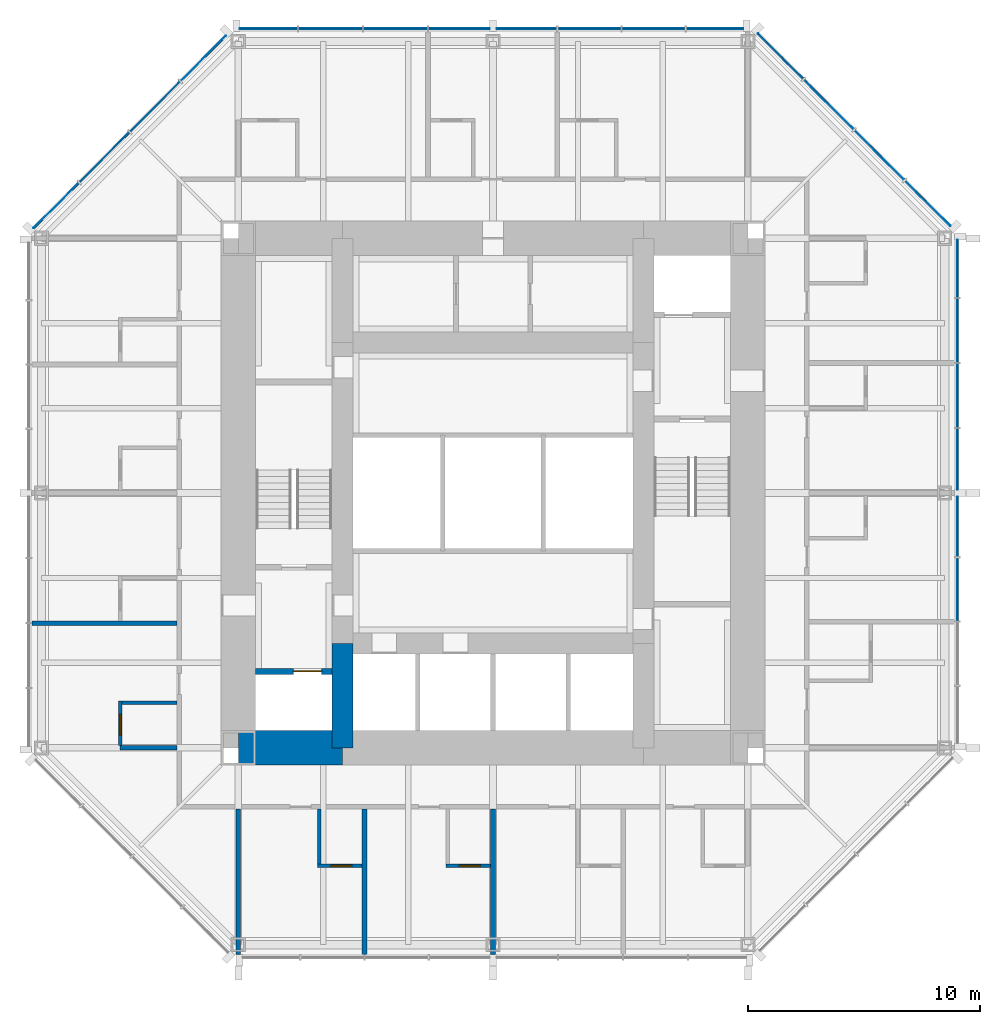
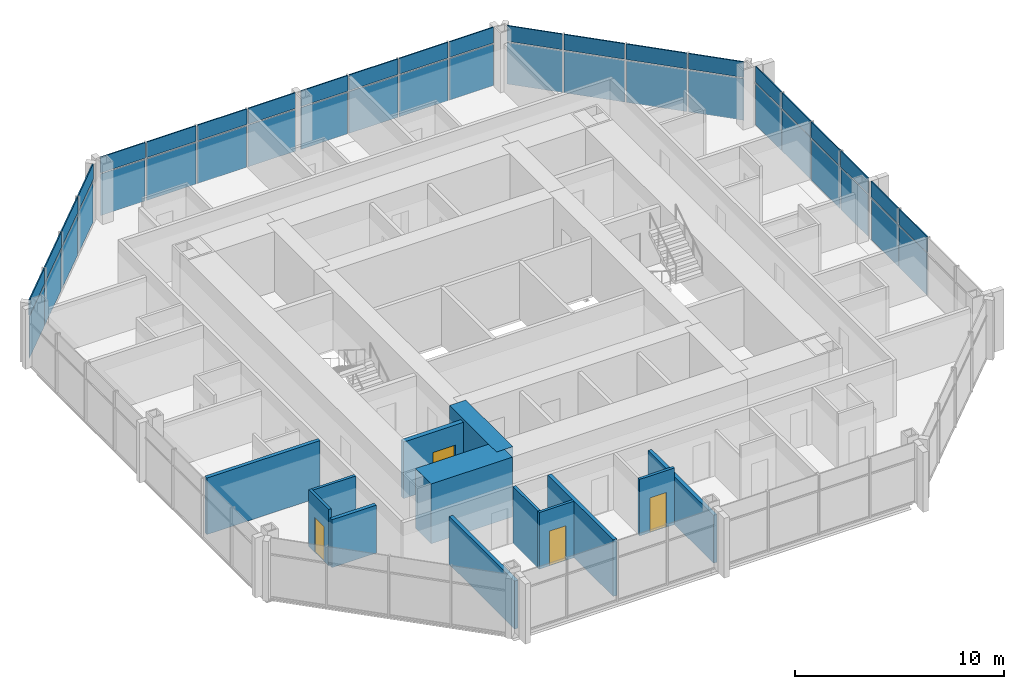
# One storey, part 7 of 12: 44 plates, 13 walls, 4 doors, 4 openings, 4 elements without a shape of their own.
"""IFC4 building model written with IfcOpenShell, lengths in metres."""

from ifc_helpers import new_model, si_unit, direction, frame, frame_2d, origin, origin_2d, place, context, subcontext, project, spatial, rectangle, extrude, material, layer, layer_set, type_object, element, fill, aggregate, save


model = new_model("IFC4")

# Units and contexts
model_context = context("Model", 3, precision=1e-05, world=origin(), true_north=direction((0.0, 1.0)))
body_context = subcontext(model_context, "Body", "Model", "MODEL_VIEW")
ifc_project = project(units=[si_unit("LENGTHUNIT", "METRE"), si_unit("AREAUNIT", "SQUARE_METRE"), si_unit("VOLUMEUNIT", "CUBIC_METRE"), si_unit("PLANEANGLEUNIT", "RADIAN"), si_unit("MASSUNIT", "GRAM", prefix="KILO")], contexts=[model_context])

# Site, building, storey
site_placement = place(None, origin())
site = spatial("IfcSite", under=ifc_project, at=site_placement, CompositionType="ELEMENT")
building_placement = place(site_placement, origin())
building = spatial("IfcBuilding", under=site, at=building_placement, Name="Trevanion Tower", CompositionType="ELEMENT")
storey_placement = place(building_placement, frame((0.0, 0.0, 208.199951171875)))
storey = spatial("IfcBuildingStorey", under=building, at=storey_placement, Name="L49", CompositionType="ELEMENT", Elevation=208.199951171875)

# Curtain wall, plates
ifc_material_1 = material(Name="Aluminium and glass", Category="aluminium")
curtain_wall_type = type_object("IfcCurtainWallType", Name="CW3 curtain wall", PredefinedType="USERDEFINED", material=ifc_material_1)
curtain_wall_1_placement = place(storey_placement, origin())
curtain_wall_1 = element("IfcCurtainWall", 1, at=curtain_wall_1_placement, inside=storey, type_object=curtain_wall_type, Name="CW3 L49 0", ObjectType="UNITISED CURTAIN WALL", PredefinedType="USERDEFINED")
ifc_material_2 = material(Name="Aluminium spandrel panel", Category="aluminium")
ifc_layer_1 = layer(ifc_material_2, 0.06005859375)
ifc_layer_set_1 = layer_set([ifc_layer_1], Name="CW3 spandrel panel")
plate_type_1 = type_object("IfcPlateType", Name="CW3 spandrel panel", PredefinedType="CURTAIN_PANEL", material=ifc_layer_set_1)
plate_1_placement = place(storey_placement, frame((20.050048828125, -4.16162109375, 2.3974609375), z_axis=(0.0, 0.0, 1.0), x_axis=(0.0, 1.0, 0.0)))
plate_1 = element("IfcPlate", 2, at=plate_1_placement, type_object=plate_type_1, Name="CW3 panel 3.2", PredefinedType="CURTAIN_PANEL", context=body_context, shape_type="SweptSolid", body=[
    extrude(rectangle(XDim=2.699462890625, YDim=0.06005859375, at=origin_2d()), origin(), (0.0, 0.0, 1.0), 0.91259765625),
])
plate_2_placement = place(storey_placement, frame((20.050048828125, -1.443603515625, 2.3974609375), z_axis=(0.0, 0.0, 1.0), x_axis=(0.0, 1.0, 0.0)))
plate_2 = element("IfcPlate", 3, at=plate_2_placement, type_object=plate_type_1, Name="CW3 panel 4.2", PredefinedType="CURTAIN_PANEL", context=body_context, shape_type="SweptSolid", body=[
    extrude(rectangle(XDim=2.5869140625, YDim=0.06005859375, at=origin_2d()), origin(), (0.0, 0.0, 1.0), 0.91259765625),
])
plate_3_placement = place(storey_placement, frame((20.050048828125, 1.459716796875, 2.3974609375), z_axis=(0.0, 0.0, 1.0), x_axis=(0.0, 1.0, 0.0)))
plate_3 = element("IfcPlate", 4, at=plate_3_placement, type_object=plate_type_1, Name="CW3 panel 5.2", PredefinedType="CURTAIN_PANEL", context=body_context, shape_type="SweptSolid", body=[
    extrude(rectangle(XDim=2.619384765625, YDim=0.06005859375, at=origin_2d()), origin(), (0.0, 0.0, 1.0), 0.91259765625),
])
plate_4_placement = place(storey_placement, frame((20.050048828125, 4.21044921875, 2.3974609375), z_axis=(0.0, 0.0, 1.0), x_axis=(0.0, 1.0, 0.0)))
plate_4 = element("IfcPlate", 5, at=plate_4_placement, type_object=plate_type_1, Name="CW3 panel 6.2", PredefinedType="CURTAIN_PANEL", context=body_context, shape_type="SweptSolid", body=[
    extrude(rectangle(XDim=2.73193359375, YDim=0.06005859375, at=origin_2d()), origin(), (0.0, 0.0, 1.0), 0.91259765625),
])
plate_5_placement = place(storey_placement, frame((20.050048828125, 7.017333984375, 2.3974609375), z_axis=(0.0, 0.0, 1.0), x_axis=(0.0, 1.0, 0.0)))
plate_5 = element("IfcPlate", 6, at=plate_5_placement, type_object=plate_type_1, Name="CW3 panel 7.2", PredefinedType="CURTAIN_PANEL", context=body_context, shape_type="SweptSolid", body=[
    extrude(rectangle(XDim=2.73193359375, YDim=0.06005859375, at=origin_2d()), origin(), (0.0, 0.0, 1.0), 0.91259765625),
])
plate_6_placement = place(storey_placement, frame((20.050048828125, 9.693115234375, 2.3974609375), z_axis=(0.0, 0.0, 1.0), x_axis=(0.0, 1.0, 0.0)))
plate_6 = element("IfcPlate", 7, at=plate_6_placement, type_object=plate_type_1, Name="CW3 panel 8.2", PredefinedType="CURTAIN_PANEL", context=body_context, shape_type="SweptSolid", body=[
    extrude(rectangle(XDim=2.469482421875, YDim=0.06005859375, at=origin_2d()), origin(), (0.0, 0.0, 1.0), 0.91259765625),
])

curtain_wall_2_placement = place(storey_placement, origin())
curtain_wall_2 = element("IfcCurtainWall", 8, at=curtain_wall_2_placement, inside=storey, type_object=curtain_wall_type, Name="CW3 L49 1", ObjectType="UNITISED CURTAIN WALL", PredefinedType="USERDEFINED")
plate_7_placement = place(storey_placement, frame((18.77392578125, 12.50390625, 2.3974609375), z_axis=(0.0, 0.0, 1.0), x_axis=(-0.707106781187, 0.707106781187, 0.0)))
plate_7 = element("IfcPlate", 9, at=plate_7_placement, type_object=plate_type_1, Name="CW3 panel 1.2", PredefinedType="CURTAIN_PANEL", context=body_context, shape_type="SweptSolid", body=[
    extrude(rectangle(XDim=2.7490234375, YDim=0.06005859375, at=origin_2d()), origin(), (0.0, 0.0, 1.0), 0.91259765625),
])
plate_8_placement = place(storey_placement, frame((16.68408203125, 14.593505859375, 2.3974609375), z_axis=(0.0, 0.0, 1.0), x_axis=(-0.707106781187, 0.707106781187, 0.0)))
plate_8 = element("IfcPlate", 10, at=plate_8_placement, type_object=plate_type_1, Name="CW3 panel 2.2", PredefinedType="CURTAIN_PANEL", context=body_context, shape_type="SweptSolid", body=[
    extrude(rectangle(XDim=3.01171875, YDim=0.06005859375, at=origin_2d()), origin(), (0.0, 0.0, 1.0), 0.91259765625),
])
plate_9_placement = place(storey_placement, frame((14.501708984375, 16.776123046875, 2.3974609375), z_axis=(0.0, 0.0, 1.0), x_axis=(-0.707106781187, 0.707106781187, 0.0)))
plate_9 = element("IfcPlate", 11, at=plate_9_placement, type_object=plate_type_1, Name="CW3 panel 3.2", PredefinedType="CURTAIN_PANEL", context=body_context, shape_type="SweptSolid", body=[
    extrude(rectangle(XDim=3.01171875, YDim=0.06005859375, at=origin_2d()), origin(), (0.0, 0.0, 1.0), 0.91259765625),
])
plate_10_placement = place(storey_placement, frame((12.411865234375, 18.865966796875, 2.3974609375), z_axis=(0.0, 0.0, 1.0), x_axis=(-0.707106781187, 0.707106781187, 0.0)))
plate_10 = element("IfcPlate", 12, at=plate_10_placement, type_object=plate_type_1, Name="CW3 panel 4.2", PredefinedType="CURTAIN_PANEL", context=body_context, shape_type="SweptSolid", body=[
    extrude(rectangle(XDim=2.7490234375, YDim=0.06005859375, at=origin_2d()), origin(), (0.0, 0.0, 1.0), 0.91259765625),
])

curtain_wall_3_placement = place(storey_placement, origin())
curtain_wall_3 = element("IfcCurtainWall", 13, at=curtain_wall_3_placement, inside=storey, type_object=curtain_wall_type, Name="CW3 L49 2", ObjectType="UNITISED CURTAIN WALL", PredefinedType="USERDEFINED")
plate_11_placement = place(storey_placement, frame((9.579345703125, 20.050048828125, 2.3974609375), z_axis=(0.0, 0.0, 1.0), x_axis=(-1.0, 0.0, 0.0)))
plate_11 = element("IfcPlate", 14, at=plate_11_placement, type_object=plate_type_1, Name="CW3 panel 1.2", PredefinedType="CURTAIN_PANEL", context=body_context, shape_type="SweptSolid", body=[
    extrude(rectangle(XDim=2.43701171875, YDim=0.06005859375, at=origin_2d()), origin(), (0.0, 0.0, 1.0), 0.91259765625),
])
plate_12_placement = place(storey_placement, frame((6.93603515625, 20.050048828125, 2.3974609375), z_axis=(0.0, 0.0, 1.0), x_axis=(-1.0, 0.0, 0.0)))
plate_12 = element("IfcPlate", 15, at=plate_12_placement, type_object=plate_type_1, Name="CW3 panel 2.2", PredefinedType="CURTAIN_PANEL", context=body_context, shape_type="SweptSolid", body=[
    extrude(rectangle(XDim=2.699462890625, YDim=0.06005859375, at=origin_2d()), origin(), (0.0, 0.0, 1.0), 0.91259765625),
])
plate_13_placement = place(storey_placement, frame((4.16162109375, 20.050048828125, 2.3974609375), z_axis=(0.0, 0.0, 1.0), x_axis=(-1.0, 0.0, 0.0)))
plate_13 = element("IfcPlate", 16, at=plate_13_placement, type_object=plate_type_1, Name="CW3 panel 3.2", PredefinedType="CURTAIN_PANEL", context=body_context, shape_type="SweptSolid", body=[
    extrude(rectangle(XDim=2.699462890625, YDim=0.06005859375, at=origin_2d()), origin(), (0.0, 0.0, 1.0), 0.91259765625),
])
plate_14_placement = place(storey_placement, frame((1.443603515625, 20.050048828125, 2.3974609375), z_axis=(0.0, 0.0, 1.0), x_axis=(-1.0, 0.0, 0.0)))
plate_14 = element("IfcPlate", 17, at=plate_14_placement, type_object=plate_type_1, Name="CW3 panel 4.2", PredefinedType="CURTAIN_PANEL", context=body_context, shape_type="SweptSolid", body=[
    extrude(rectangle(XDim=2.5869140625, YDim=0.06005859375, at=origin_2d()), origin(), (0.0, 0.0, 1.0), 0.91259765625),
])
plate_15_placement = place(storey_placement, frame((-1.459716796875, 20.050048828125, 2.3974609375), z_axis=(0.0, 0.0, 1.0), x_axis=(-1.0, 0.0, 0.0)))
plate_15 = element("IfcPlate", 18, at=plate_15_placement, type_object=plate_type_1, Name="CW3 panel 5.2", PredefinedType="CURTAIN_PANEL", context=body_context, shape_type="SweptSolid", body=[
    extrude(rectangle(XDim=2.619384765625, YDim=0.06005859375, at=origin_2d()), origin(), (0.0, 0.0, 1.0), 0.91259765625),
])
plate_16_placement = place(storey_placement, frame((-4.21044921875, 20.050048828125, 2.3974609375), z_axis=(0.0, 0.0, 1.0), x_axis=(-1.0, 0.0, 0.0)))
plate_16 = element("IfcPlate", 19, at=plate_16_placement, type_object=plate_type_1, Name="CW3 panel 6.2", PredefinedType="CURTAIN_PANEL", context=body_context, shape_type="SweptSolid", body=[
    extrude(rectangle(XDim=2.73193359375, YDim=0.06005859375, at=origin_2d()), origin(), (0.0, 0.0, 1.0), 0.91259765625),
])
plate_17_placement = place(storey_placement, frame((-7.017333984375, 20.050048828125, 2.3974609375), z_axis=(0.0, 0.0, 1.0), x_axis=(-1.0, 0.0, 0.0)))
plate_17 = element("IfcPlate", 20, at=plate_17_placement, type_object=plate_type_1, Name="CW3 panel 7.2", PredefinedType="CURTAIN_PANEL", context=body_context, shape_type="SweptSolid", body=[
    extrude(rectangle(XDim=2.73193359375, YDim=0.06005859375, at=origin_2d()), origin(), (0.0, 0.0, 1.0), 0.91259765625),
])
plate_18_placement = place(storey_placement, frame((-9.693115234375, 20.050048828125, 2.3974609375), z_axis=(0.0, 0.0, 1.0), x_axis=(-1.0, 0.0, 0.0)))
plate_18 = element("IfcPlate", 21, at=plate_18_placement, type_object=plate_type_1, Name="CW3 panel 8.2", PredefinedType="CURTAIN_PANEL", context=body_context, shape_type="SweptSolid", body=[
    extrude(rectangle(XDim=2.469482421875, YDim=0.06005859375, at=origin_2d()), origin(), (0.0, 0.0, 1.0), 0.91259765625),
])

curtain_wall_4_placement = place(storey_placement, origin())
curtain_wall_4 = element("IfcCurtainWall", 22, at=curtain_wall_4_placement, inside=storey, type_object=curtain_wall_type, Name="CW3 L49 3", ObjectType="UNITISED CURTAIN WALL", PredefinedType="USERDEFINED")
plate_19_placement = place(storey_placement, frame((-12.50390625, 18.77392578125, 2.3974609375), z_axis=(0.0, 0.0, 1.0), x_axis=(-0.707106781187, -0.707106781187, 0.0)))
plate_19 = element("IfcPlate", 23, at=plate_19_placement, type_object=plate_type_1, Name="CW3 panel 1.2", PredefinedType="CURTAIN_PANEL", context=body_context, shape_type="SweptSolid", body=[
    extrude(rectangle(XDim=2.7490234375, YDim=0.06005859375, at=origin_2d()), origin(), (0.0, 0.0, 1.0), 0.91259765625),
])
plate_20_placement = place(storey_placement, frame((-14.593505859375, 16.68408203125, 2.3974609375), z_axis=(0.0, 0.0, 1.0), x_axis=(-0.707106781187, -0.707106781187, 0.0)))
plate_20 = element("IfcPlate", 24, at=plate_20_placement, type_object=plate_type_1, Name="CW3 panel 2.2", PredefinedType="CURTAIN_PANEL", context=body_context, shape_type="SweptSolid", body=[
    extrude(rectangle(XDim=3.01171875, YDim=0.06005859375, at=origin_2d()), origin(), (0.0, 0.0, 1.0), 0.91259765625),
])
plate_21_placement = place(storey_placement, frame((-16.776123046875, 14.501708984375, 2.3974609375), z_axis=(0.0, 0.0, 1.0), x_axis=(-0.707106781187, -0.707106781187, 0.0)))
plate_21 = element("IfcPlate", 25, at=plate_21_placement, type_object=plate_type_1, Name="CW3 panel 3.2", PredefinedType="CURTAIN_PANEL", context=body_context, shape_type="SweptSolid", body=[
    extrude(rectangle(XDim=3.01171875, YDim=0.06005859375, at=origin_2d()), origin(), (0.0, 0.0, 1.0), 0.91259765625),
])
plate_22_placement = place(storey_placement, frame((-18.865966796875, 12.411865234375, 2.3974609375), z_axis=(0.0, 0.0, 1.0), x_axis=(-0.707106781187, -0.707106781187, 0.0)))
plate_22 = element("IfcPlate", 26, at=plate_22_placement, type_object=plate_type_1, Name="CW3 panel 4.2", PredefinedType="CURTAIN_PANEL", context=body_context, shape_type="SweptSolid", body=[
    extrude(rectangle(XDim=2.7490234375, YDim=0.06005859375, at=origin_2d()), origin(), (0.0, 0.0, 1.0), 0.91259765625),
])

# Plate
ifc_material_3 = material(Name="Insulating glass unit", Category="glass")
ifc_layer_2 = layer(ifc_material_3, 0.028076171875)
ifc_layer_set_2 = layer_set([ifc_layer_2], Name="CW3 vision panel")
plate_type_2 = type_object("IfcPlateType", Name="CW3 vision panel", PredefinedType="CURTAIN_PANEL", material=ifc_layer_set_2)
plate_23_placement = place(storey_placement, frame((20.050048828125, -4.16162109375, -0.114990234375), z_axis=(0.0, 0.0, 1.0), x_axis=(0.0, 1.0, 0.0)))
plate_23 = element("IfcPlate", 27, at=plate_23_placement, type_object=plate_type_2, Name="CW3 panel 3.1", PredefinedType="CURTAIN_PANEL", context=body_context, shape_type="SweptSolid", body=[
    extrude(rectangle(XDim=2.699462890625, YDim=0.028076171875, at=origin_2d()), origin(), (0.0, 0.0, 1.0), 2.4375),
])

plate_24_placement = place(storey_placement, frame((20.050048828125, -1.443603515625, -0.114990234375), z_axis=(0.0, 0.0, 1.0), x_axis=(0.0, 1.0, 0.0)))
plate_24 = element("IfcPlate", 28, at=plate_24_placement, type_object=plate_type_2, Name="CW3 panel 4.1", PredefinedType="CURTAIN_PANEL", context=body_context, shape_type="SweptSolid", body=[
    extrude(rectangle(XDim=2.5869140625, YDim=0.028076171875, at=origin_2d()), origin(), (0.0, 0.0, 1.0), 2.4375),
])

plate_25_placement = place(storey_placement, frame((20.050048828125, 1.459716796875, -0.114990234375), z_axis=(0.0, 0.0, 1.0), x_axis=(0.0, 1.0, 0.0)))
plate_25 = element("IfcPlate", 29, at=plate_25_placement, type_object=plate_type_2, Name="CW3 panel 5.1", PredefinedType="CURTAIN_PANEL", context=body_context, shape_type="SweptSolid", body=[
    extrude(rectangle(XDim=2.619384765625, YDim=0.028076171875, at=origin_2d()), origin(), (0.0, 0.0, 1.0), 2.4375),
])

plate_26_placement = place(storey_placement, frame((20.050048828125, 4.21044921875, -0.114990234375), z_axis=(0.0, 0.0, 1.0), x_axis=(0.0, 1.0, 0.0)))
plate_26 = element("IfcPlate", 30, at=plate_26_placement, type_object=plate_type_2, Name="CW3 panel 6.1", PredefinedType="CURTAIN_PANEL", context=body_context, shape_type="SweptSolid", body=[
    extrude(rectangle(XDim=2.73193359375, YDim=0.028076171875, at=origin_2d()), origin(), (0.0, 0.0, 1.0), 2.4375),
])

plate_27_placement = place(storey_placement, frame((20.050048828125, 7.017333984375, -0.114990234375), z_axis=(0.0, 0.0, 1.0), x_axis=(0.0, 1.0, 0.0)))
plate_27 = element("IfcPlate", 31, at=plate_27_placement, type_object=plate_type_2, Name="CW3 panel 7.1", PredefinedType="CURTAIN_PANEL", context=body_context, shape_type="SweptSolid", body=[
    extrude(rectangle(XDim=2.73193359375, YDim=0.028076171875, at=origin_2d()), origin(), (0.0, 0.0, 1.0), 2.4375),
])

plate_28_placement = place(storey_placement, frame((20.050048828125, 9.693115234375, -0.114990234375), z_axis=(0.0, 0.0, 1.0), x_axis=(0.0, 1.0, 0.0)))
plate_28 = element("IfcPlate", 32, at=plate_28_placement, type_object=plate_type_2, Name="CW3 panel 8.1", PredefinedType="CURTAIN_PANEL", context=body_context, shape_type="SweptSolid", body=[
    extrude(rectangle(XDim=2.469482421875, YDim=0.028076171875, at=origin_2d()), origin(), (0.0, 0.0, 1.0), 2.4375),
])

aggregate(curtain_wall_1, [plate_23, plate_1, plate_24, plate_2, plate_25, plate_3, plate_26, plate_4, plate_27, plate_5, plate_28, plate_6])

plate_29_placement = place(storey_placement, frame((18.77392578125, 12.50390625, -0.114990234375), z_axis=(0.0, 0.0, 1.0), x_axis=(-0.707106781187, 0.707106781187, 0.0)))
plate_29 = element("IfcPlate", 33, at=plate_29_placement, type_object=plate_type_2, Name="CW3 panel 1.1", PredefinedType="CURTAIN_PANEL", context=body_context, shape_type="SweptSolid", body=[
    extrude(rectangle(XDim=2.7490234375, YDim=0.028076171875, at=origin_2d()), origin(), (0.0, 0.0, 1.0), 2.4375),
])

plate_30_placement = place(storey_placement, frame((16.68408203125, 14.593505859375, -0.114990234375), z_axis=(0.0, 0.0, 1.0), x_axis=(-0.707106781187, 0.707106781187, 0.0)))
plate_30 = element("IfcPlate", 34, at=plate_30_placement, type_object=plate_type_2, Name="CW3 panel 2.1", PredefinedType="CURTAIN_PANEL", context=body_context, shape_type="SweptSolid", body=[
    extrude(rectangle(XDim=3.01171875, YDim=0.028076171875, at=origin_2d()), origin(), (0.0, 0.0, 1.0), 2.4375),
])

plate_31_placement = place(storey_placement, frame((14.501708984375, 16.776123046875, -0.114990234375), z_axis=(0.0, 0.0, 1.0), x_axis=(-0.707106781187, 0.707106781187, 0.0)))
plate_31 = element("IfcPlate", 35, at=plate_31_placement, type_object=plate_type_2, Name="CW3 panel 3.1", PredefinedType="CURTAIN_PANEL", context=body_context, shape_type="SweptSolid", body=[
    extrude(rectangle(XDim=3.01171875, YDim=0.028076171875, at=origin_2d()), origin(), (0.0, 0.0, 1.0), 2.4375),
])

plate_32_placement = place(storey_placement, frame((12.411865234375, 18.865966796875, -0.114990234375), z_axis=(0.0, 0.0, 1.0), x_axis=(-0.707106781187, 0.707106781187, 0.0)))
plate_32 = element("IfcPlate", 36, at=plate_32_placement, type_object=plate_type_2, Name="CW3 panel 4.1", PredefinedType="CURTAIN_PANEL", context=body_context, shape_type="SweptSolid", body=[
    extrude(rectangle(XDim=2.7490234375, YDim=0.028076171875, at=origin_2d()), origin(), (0.0, 0.0, 1.0), 2.4375),
])

aggregate(curtain_wall_2, [plate_29, plate_7, plate_30, plate_8, plate_31, plate_9, plate_32, plate_10])

plate_33_placement = place(storey_placement, frame((9.579345703125, 20.050048828125, -0.114990234375), z_axis=(0.0, 0.0, 1.0), x_axis=(-1.0, 0.0, 0.0)))
plate_33 = element("IfcPlate", 37, at=plate_33_placement, type_object=plate_type_2, Name="CW3 panel 1.1", PredefinedType="CURTAIN_PANEL", context=body_context, shape_type="SweptSolid", body=[
    extrude(rectangle(XDim=2.43701171875, YDim=0.028076171875, at=origin_2d()), origin(), (0.0, 0.0, 1.0), 2.4375),
])

plate_34_placement = place(storey_placement, frame((6.93603515625, 20.050048828125, -0.114990234375), z_axis=(0.0, 0.0, 1.0), x_axis=(-1.0, 0.0, 0.0)))
plate_34 = element("IfcPlate", 38, at=plate_34_placement, type_object=plate_type_2, Name="CW3 panel 2.1", PredefinedType="CURTAIN_PANEL", context=body_context, shape_type="SweptSolid", body=[
    extrude(rectangle(XDim=2.699462890625, YDim=0.028076171875, at=origin_2d()), origin(), (0.0, 0.0, 1.0), 2.4375),
])

plate_35_placement = place(storey_placement, frame((4.16162109375, 20.050048828125, -0.114990234375), z_axis=(0.0, 0.0, 1.0), x_axis=(-1.0, 0.0, 0.0)))
plate_35 = element("IfcPlate", 39, at=plate_35_placement, type_object=plate_type_2, Name="CW3 panel 3.1", PredefinedType="CURTAIN_PANEL", context=body_context, shape_type="SweptSolid", body=[
    extrude(rectangle(XDim=2.699462890625, YDim=0.028076171875, at=origin_2d()), origin(), (0.0, 0.0, 1.0), 2.4375),
])

plate_36_placement = place(storey_placement, frame((1.443603515625, 20.050048828125, -0.114990234375), z_axis=(0.0, 0.0, 1.0), x_axis=(-1.0, 0.0, 0.0)))
plate_36 = element("IfcPlate", 40, at=plate_36_placement, type_object=plate_type_2, Name="CW3 panel 4.1", PredefinedType="CURTAIN_PANEL", context=body_context, shape_type="SweptSolid", body=[
    extrude(rectangle(XDim=2.5869140625, YDim=0.028076171875, at=origin_2d()), origin(), (0.0, 0.0, 1.0), 2.4375),
])

plate_37_placement = place(storey_placement, frame((-1.459716796875, 20.050048828125, -0.114990234375), z_axis=(0.0, 0.0, 1.0), x_axis=(-1.0, 0.0, 0.0)))
plate_37 = element("IfcPlate", 41, at=plate_37_placement, type_object=plate_type_2, Name="CW3 panel 5.1", PredefinedType="CURTAIN_PANEL", context=body_context, shape_type="SweptSolid", body=[
    extrude(rectangle(XDim=2.619384765625, YDim=0.028076171875, at=origin_2d()), origin(), (0.0, 0.0, 1.0), 2.4375),
])

plate_38_placement = place(storey_placement, frame((-4.21044921875, 20.050048828125, -0.114990234375), z_axis=(0.0, 0.0, 1.0), x_axis=(-1.0, 0.0, 0.0)))
plate_38 = element("IfcPlate", 42, at=plate_38_placement, type_object=plate_type_2, Name="CW3 panel 6.1", PredefinedType="CURTAIN_PANEL", context=body_context, shape_type="SweptSolid", body=[
    extrude(rectangle(XDim=2.73193359375, YDim=0.028076171875, at=origin_2d()), origin(), (0.0, 0.0, 1.0), 2.4375),
])

plate_39_placement = place(storey_placement, frame((-7.017333984375, 20.050048828125, -0.114990234375), z_axis=(0.0, 0.0, 1.0), x_axis=(-1.0, 0.0, 0.0)))
plate_39 = element("IfcPlate", 43, at=plate_39_placement, type_object=plate_type_2, Name="CW3 panel 7.1", PredefinedType="CURTAIN_PANEL", context=body_context, shape_type="SweptSolid", body=[
    extrude(rectangle(XDim=2.73193359375, YDim=0.028076171875, at=origin_2d()), origin(), (0.0, 0.0, 1.0), 2.4375),
])

plate_40_placement = place(storey_placement, frame((-9.693115234375, 20.050048828125, -0.114990234375), z_axis=(0.0, 0.0, 1.0), x_axis=(-1.0, 0.0, 0.0)))
plate_40 = element("IfcPlate", 44, at=plate_40_placement, type_object=plate_type_2, Name="CW3 panel 8.1", PredefinedType="CURTAIN_PANEL", context=body_context, shape_type="SweptSolid", body=[
    extrude(rectangle(XDim=2.469482421875, YDim=0.028076171875, at=origin_2d()), origin(), (0.0, 0.0, 1.0), 2.4375),
])

aggregate(curtain_wall_3, [plate_33, plate_11, plate_34, plate_12, plate_35, plate_13, plate_36, plate_14, plate_37, plate_15, plate_38, plate_16, plate_39, plate_17, plate_40, plate_18])

plate_41_placement = place(storey_placement, frame((-12.50390625, 18.77392578125, -0.114990234375), z_axis=(0.0, 0.0, 1.0), x_axis=(-0.707106781187, -0.707106781187, 0.0)))
plate_41 = element("IfcPlate", 45, at=plate_41_placement, type_object=plate_type_2, Name="CW3 panel 1.1", PredefinedType="CURTAIN_PANEL", context=body_context, shape_type="SweptSolid", body=[
    extrude(rectangle(XDim=2.7490234375, YDim=0.028076171875, at=origin_2d()), origin(), (0.0, 0.0, 1.0), 2.4375),
])

plate_42_placement = place(storey_placement, frame((-14.593505859375, 16.68408203125, -0.114990234375), z_axis=(0.0, 0.0, 1.0), x_axis=(-0.707106781187, -0.707106781187, 0.0)))
plate_42 = element("IfcPlate", 46, at=plate_42_placement, type_object=plate_type_2, Name="CW3 panel 2.1", PredefinedType="CURTAIN_PANEL", context=body_context, shape_type="SweptSolid", body=[
    extrude(rectangle(XDim=3.01171875, YDim=0.028076171875, at=origin_2d()), origin(), (0.0, 0.0, 1.0), 2.4375),
])

plate_43_placement = place(storey_placement, frame((-16.776123046875, 14.501708984375, -0.114990234375), z_axis=(0.0, 0.0, 1.0), x_axis=(-0.707106781187, -0.707106781187, 0.0)))
plate_43 = element("IfcPlate", 47, at=plate_43_placement, type_object=plate_type_2, Name="CW3 panel 3.1", PredefinedType="CURTAIN_PANEL", context=body_context, shape_type="SweptSolid", body=[
    extrude(rectangle(XDim=3.01171875, YDim=0.028076171875, at=origin_2d()), origin(), (0.0, 0.0, 1.0), 2.4375),
])

plate_44_placement = place(storey_placement, frame((-18.865966796875, 12.411865234375, -0.114990234375), z_axis=(0.0, 0.0, 1.0), x_axis=(-0.707106781187, -0.707106781187, 0.0)))
plate_44 = element("IfcPlate", 48, at=plate_44_placement, type_object=plate_type_2, Name="CW3 panel 4.1", PredefinedType="CURTAIN_PANEL", context=body_context, shape_type="SweptSolid", body=[
    extrude(rectangle(XDim=2.7490234375, YDim=0.028076171875, at=origin_2d()), origin(), (0.0, 0.0, 1.0), 2.4375),
])

aggregate(curtain_wall_4, [plate_41, plate_19, plate_42, plate_20, plate_43, plate_21, plate_44, plate_22])

# Walls
ifc_material_4 = material(Name="Concrete 10,000 psi", Category="concrete")
ifc_layer_3 = layer(ifc_material_4, 1.5)
ifc_layer_set_3 = layer_set([ifc_layer_3], Name="CW1 core wall 1500")
wall_type_1 = type_object("IfcWallType", Name="CW1 core wall 1500", PredefinedType="SHEAR", material=ifc_layer_set_3)
wall_1_placement = place(storey_placement, frame((-11.0, -11.0, 0.0), z_axis=(0.0, 0.0, 1.0), x_axis=(1.0, 0.0, 0.0)))
element("IfcWall", 49, at=wall_1_placement, inside=storey, type_object=wall_type_1, Name="CW1 CS1 L49", PredefinedType="SHEAR", context=body_context, shape_type="SweptSolid", body=[
    extrude(rectangle(XDim=4.5, YDim=1.5, at=frame_2d((2.25, 0.0))), origin(), (0.0, 0.0, 1.0), 3.5),
])
ifc_material_5 = material(Name="Concrete 10,000 psi", Category="concrete")
ifc_layer_4 = layer(ifc_material_5, 0.89990234375)
ifc_layer_set_4 = layer_set([ifc_layer_4], Name="CW2 core wall 900")
wall_type_2 = type_object("IfcWallType", Name="CW2 core wall 900", PredefinedType="SHEAR", material=ifc_layer_set_4)
wall_2_placement = place(storey_placement, frame((-6.5, -6.5, 0.0), z_axis=(0.0, 0.0, 1.0), x_axis=(0.0, -1.0, 0.0)))
element("IfcWall", 50, at=wall_2_placement, inside=storey, type_object=wall_type_2, Name="CW2 RW3 L49", PredefinedType="SHEAR", context=body_context, shape_type="SweptSolid", body=[
    extrude(rectangle(XDim=4.5, YDim=0.89990234375, at=frame_2d((2.25, 0.0))), origin(), (0.0, 0.0, 1.0), 3.5),
])

# Wall, opening, door
ifc_material_6 = material(Name="Gypsum board on steel studs", Category="steel")
ifc_layer_5 = layer(ifc_material_6, 0.14990234375)
ifc_layer_set_5 = layer_set([ifc_layer_5], Name="PT1 partition 150")
wall_type_3 = type_object("IfcWallType", Name="PT1 partition 150", PredefinedType="PARTITIONING", material=ifc_layer_set_5)
wall_3_placement = place(storey_placement, frame((-16.10009765625, -8.97509765625, 0.0), z_axis=(0.0, 0.0, 1.0), x_axis=(0.0, -1.0, 0.0)))
wall_3 = element("IfcWall", 51, at=wall_3_placement, inside=storey, type_object=wall_type_3, Name="PT1 L49 BA23", PredefinedType="PARTITIONING", context=body_context, shape_type="SweptSolid", body=[
    extrude(rectangle(XDim=1.9248046875, YDim=0.14990234375, at=frame_2d((0.96240234375, 0.0))), origin(), (0.0, 0.0, 1.0), 3.31005859375),
])
opening_1_placement = place(wall_3_placement, frame((0.5673828125, 0.0, 0.0)))
opening_1 = element("IfcOpeningElement", 52, at=opening_1_placement, cuts=wall_3, Name="Opening 49-036", PredefinedType="OPENING", context=body_context, shape_type="SweptSolid", body=[
    extrude(rectangle(XDim=0.9150390625, YDim=2.031982421875, at=frame_2d((0.45751953125, 1.01611328125))), frame((0.0, 0.0849609375, 0.0), z_axis=(0.0, -1.0, 0.0), x_axis=(1.0, 0.0, 0.0)), (0.0, 0.0, 1.0), 0.169921875),
])
ifc_material_7 = material(Name="Timber veneer", Category="wood")
door_type_1 = type_object("IfcDoorType", Name="D7 bathroom door", OperationType="SINGLE_SWING_LEFT", PredefinedType="DOOR", material=ifc_material_7)
door_1_placement = place(opening_1_placement, origin())
door_1 = element("IfcDoor", 53, at=door_1_placement, inside=storey, type_object=door_type_1, Name="Door 49-036", OperationType="SINGLE_SWING_LEFT", OverallHeight=2.031982421875, OverallWidth=0.9150390625, PredefinedType="DOOR", context=body_context, shape_type="SweptSolid", body=[
    extrude(rectangle(XDim=0.9150390625, YDim=2.031982421875, at=frame_2d((0.45751953125, 1.01611328125))), frame((0.0, 0.02490234375, 0.0), z_axis=(0.0, -1.0, 0.0), x_axis=(1.0, 0.0, 0.0)), (0.0, 0.0, 1.0), 0.050048828125),
])
fill(opening_1, door_1)

# Wall
wall_4_placement = place(storey_placement, frame((-13.64990234375, -9.050048828125, 0.0), z_axis=(0.0, 0.0, 1.0), x_axis=(-1.0, 0.0, 0.0)))
element("IfcWall", 54, at=wall_4_placement, inside=storey, type_object=wall_type_3, Name="PT1 L49 BB23", PredefinedType="PARTITIONING", context=body_context, shape_type="SweptSolid", body=[
    extrude(rectangle(XDim=2.375, YDim=0.14990234375, at=frame_2d((1.1875, 0.0))), origin(), (0.0, 0.0, 1.0), 3.31005859375),
])

# Wall, opening, door
wall_5_placement = place(storey_placement, frame((-7.573974609375, -16.10009765625, 0.0), z_axis=(0.0, 0.0, 1.0), x_axis=(1.0, 0.0, 0.0)))
wall_5 = element("IfcWall", 55, at=wall_5_placement, inside=storey, type_object=wall_type_3, Name="PT1 L49 BA30", PredefinedType="PARTITIONING", context=body_context, shape_type="SweptSolid", body=[
    extrude(rectangle(XDim=1.925048828125, YDim=0.14990234375, at=frame_2d((0.96240234375, 0.0))), origin(), (0.0, 0.0, 1.0), 3.31005859375),
])
opening_2_placement = place(wall_5_placement, frame((0.5673828125, 0.0, 0.0)))
opening_2 = element("IfcOpeningElement", 56, at=opening_2_placement, cuts=wall_5, Name="Opening 49-038", PredefinedType="OPENING", context=body_context, shape_type="SweptSolid", body=[
    extrude(rectangle(XDim=0.9150390625, YDim=2.031982421875, at=frame_2d((0.45751953125, 1.01611328125))), frame((0.0, 0.0849609375, 0.0), z_axis=(0.0, -1.0, 0.0), x_axis=(1.0, 0.0, 0.0)), (0.0, 0.0, 1.0), 0.169921875),
])
door_2_placement = place(opening_2_placement, origin())
door_2 = element("IfcDoor", 57, at=door_2_placement, inside=storey, type_object=door_type_1, Name="Door 49-038", OperationType="SINGLE_SWING_LEFT", OverallHeight=2.031982421875, OverallWidth=0.9150390625, PredefinedType="DOOR", context=body_context, shape_type="SweptSolid", body=[
    extrude(rectangle(XDim=0.9150390625, YDim=2.031982421875, at=frame_2d((0.45751953125, 1.01611328125))), frame((0.0, 0.02490234375, 0.0), z_axis=(0.0, -1.0, 0.0), x_axis=(1.0, 0.0, 0.0)), (0.0, 0.0, 1.0), 0.050048828125),
])
fill(opening_2, door_2)

# Wall
wall_6_placement = place(storey_placement, frame((-7.4990234375, -13.64990234375, 0.0), z_axis=(0.0, 0.0, 1.0), x_axis=(0.0, -1.0, 0.0)))
element("IfcWall", 58, at=wall_6_placement, inside=storey, type_object=wall_type_3, Name="PT1 L49 BB30", PredefinedType="PARTITIONING", context=body_context, shape_type="SweptSolid", body=[
    extrude(rectangle(XDim=2.375, YDim=0.14990234375, at=frame_2d((1.1875, 0.0))), origin(), (0.0, 0.0, 1.0), 3.31005859375),
])

# Wall, opening, door
wall_7_placement = place(storey_placement, frame((-2.02490234375, -16.10009765625, 0.0), z_axis=(0.0, 0.0, 1.0), x_axis=(1.0, 0.0, 0.0)))
wall_7 = element("IfcWall", 59, at=wall_7_placement, inside=storey, type_object=wall_type_3, Name="PT1 L49 BA31", PredefinedType="PARTITIONING", context=body_context, shape_type="SweptSolid", body=[
    extrude(rectangle(XDim=1.9248046875, YDim=0.14990234375, at=frame_2d((0.96240234375, 0.0))), origin(), (0.0, 0.0, 1.0), 3.31005859375),
])
opening_3_placement = place(wall_7_placement, frame((0.5673828125, 0.0, 0.0)))
opening_3 = element("IfcOpeningElement", 60, at=opening_3_placement, cuts=wall_7, Name="Opening 49-040", PredefinedType="OPENING", context=body_context, shape_type="SweptSolid", body=[
    extrude(rectangle(XDim=0.9150390625, YDim=2.031982421875, at=frame_2d((0.45751953125, 1.01611328125))), frame((0.0, 0.0849609375, 0.0), z_axis=(0.0, -1.0, 0.0), x_axis=(1.0, 0.0, 0.0)), (0.0, 0.0, 1.0), 0.169921875),
])
door_3_placement = place(opening_3_placement, origin())
door_3 = element("IfcDoor", 61, at=door_3_placement, inside=storey, type_object=door_type_1, Name="Door 49-040", OperationType="SINGLE_SWING_LEFT", OverallHeight=2.031982421875, OverallWidth=0.9150390625, PredefinedType="DOOR", context=body_context, shape_type="SweptSolid", body=[
    extrude(rectangle(XDim=0.9150390625, YDim=2.031982421875, at=frame_2d((0.45751953125, 1.01611328125))), frame((0.0, 0.02490234375, 0.0), z_axis=(0.0, -1.0, 0.0), x_axis=(1.0, 0.0, 0.0)), (0.0, 0.0, 1.0), 0.050048828125),
])
fill(opening_3, door_3)

# Walls
ifc_material_8 = material(Name="Concrete masonry, grouted", Category="masonry")
ifc_layer_6 = layer(ifc_material_8, 0.199951171875)
ifc_layer_set_6 = layer_set([ifc_layer_6], Name="PT2 partition 200 1 HR")
wall_type_4 = type_object("IfcWallType", Name="PT2 partition 200 1 HR", PredefinedType="PARTITIONING", material=ifc_layer_set_6)
wall_8_placement = place(storey_placement, frame((-13.64990234375, -5.614013671875, 0.0), z_axis=(0.0, 0.0, 1.0), x_axis=(-1.0, 0.0, 0.0)))
element("IfcWall", 62, at=wall_8_placement, inside=storey, type_object=wall_type_4, Name="PT2 L49 HD23", PredefinedType="PARTITIONING", context=body_context, shape_type="SweptSolid", body=[
    extrude(rectangle(XDim=6.26513671875, YDim=0.199951171875, at=frame_2d((3.132568359375, 0.0))), origin(), (0.0, 0.0, 1.0), 3.31005859375),
])
wall_9_placement = place(storey_placement, frame((-13.64990234375, -11.0, 0.0), z_axis=(0.0, 0.0, 1.0), x_axis=(-1.0, 0.0, 0.0)))
element("IfcWall", 63, at=wall_9_placement, inside=storey, type_object=wall_type_4, Name="PT2 L49 BC23", PredefinedType="PARTITIONING", context=body_context, shape_type="SweptSolid", body=[
    extrude(rectangle(XDim=2.4501953125, YDim=0.199951171875, at=frame_2d((1.22509765625, 0.0))), origin(), (0.0, 0.0, 1.0), 2.802001953125),
])
wall_10_placement = place(storey_placement, frame((-11.0, -13.64990234375, 0.0), z_axis=(0.0, 0.0, 1.0), x_axis=(0.0, -1.0, 0.0)))
element("IfcWall", 64, at=wall_10_placement, inside=storey, type_object=wall_type_4, Name="PT2 L49 HD30", PredefinedType="PARTITIONING", context=body_context, shape_type="SweptSolid", body=[
    extrude(rectangle(XDim=6.26513671875, YDim=0.199951171875, at=frame_2d((3.132568359375, 0.0))), origin(), (0.0, 0.0, 1.0), 2.802001953125),
])
wall_11_placement = place(storey_placement, frame((-5.549072265625, -13.64990234375, 0.0), z_axis=(0.0, 0.0, 1.0), x_axis=(0.0, -1.0, 0.0)))
element("IfcWall", 65, at=wall_11_placement, inside=storey, type_object=wall_type_4, Name="PT2 L49 HD31", PredefinedType="PARTITIONING", context=body_context, shape_type="SweptSolid", body=[
    extrude(rectangle(XDim=6.26513671875, YDim=0.199951171875, at=frame_2d((3.132568359375, 0.0))), origin(), (0.0, 0.0, 1.0), 3.31005859375),
])
wall_12_placement = place(storey_placement, frame((0.0, -13.64990234375, 0.0), z_axis=(0.0, 0.0, 1.0), x_axis=(0.0, -1.0, 0.0)))
element("IfcWall", 66, at=wall_12_placement, inside=storey, type_object=wall_type_4, Name="PT2 L49 HD32", PredefinedType="PARTITIONING", context=body_context, shape_type="SweptSolid", body=[
    extrude(rectangle(XDim=6.26513671875, YDim=0.199951171875, at=frame_2d((3.132568359375, 0.0))), origin(), (0.0, 0.0, 1.0), 2.802001953125),
])

# Wall, opening, door
ifc_material_9 = material(Name="Concrete masonry, grouted, two-hour", Category="masonry")
ifc_layer_7 = layer(ifc_material_9, 0.25)
ifc_layer_set_7 = layer_set([ifc_layer_7], Name="PT3 partition 250 2 HR")
wall_type_5 = type_object("IfcWallType", Name="PT3 partition 250 2 HR", PredefinedType="PARTITIONING", material=ifc_layer_set_7)
wall_13_placement = place(storey_placement, frame((-6.949951171875, -7.699951171875, 0.0), z_axis=(0.0, 0.0, 1.0), x_axis=(-1.0, 0.0, 0.0)))
wall_13 = element("IfcWall", 67, at=wall_13_placement, inside=storey, type_object=wall_type_5, Name="PT3 L49 WP3", PredefinedType="PARTITIONING", context=body_context, shape_type="SweptSolid", body=[
    extrude(rectangle(XDim=3.300048828125, YDim=0.25, at=frame_2d((1.64990234375, 0.0))), origin(), (0.0, 0.0, 1.0), 3.31005859375),
])
opening_4_placement = place(wall_13_placement, frame((0.449951171875, 0.0, 0.0)))
opening_4 = element("IfcOpeningElement", 68, at=opening_4_placement, cuts=wall_13, Name="Opening 49-008", PredefinedType="OPENING", context=body_context, shape_type="SweptSolid", body=[
    extrude(rectangle(XDim=1.218994140625, YDim=2.134033203125, at=frame_2d((0.609375, 1.06689453125))), frame((0.0, 0.135009765625, 0.0), z_axis=(0.0, -1.0, 0.0), x_axis=(1.0, 0.0, 0.0)), (0.0, 0.0, 1.0), 0.27001953125),
])
ifc_material_10 = material(Name="Stainless steel, fire rated", Category="steel")
door_type_2 = type_object("IfcDoorType", Name="LD2 fire service lift landing door", OperationType="SLIDING_TO_LEFT", PredefinedType="DOOR", material=ifc_material_10)
door_4_placement = place(opening_4_placement, origin())
door_4 = element("IfcDoor", 69, at=door_4_placement, inside=storey, type_object=door_type_2, Name="Door 49-008", OperationType="SLIDING_TO_LEFT", OverallHeight=2.134033203125, OverallWidth=1.218994140625, PredefinedType="DOOR", context=body_context, shape_type="SweptSolid", body=[
    extrude(rectangle(XDim=1.218994140625, YDim=2.134033203125, at=frame_2d((0.609375, 1.06689453125))), frame((0.0, 0.02490234375, 0.0), z_axis=(0.0, -1.0, 0.0), x_axis=(1.0, 0.0, 0.0)), (0.0, 0.0, 1.0), 0.050048828125),
])
fill(opening_4, door_4)

save(model, "model.ifc")
